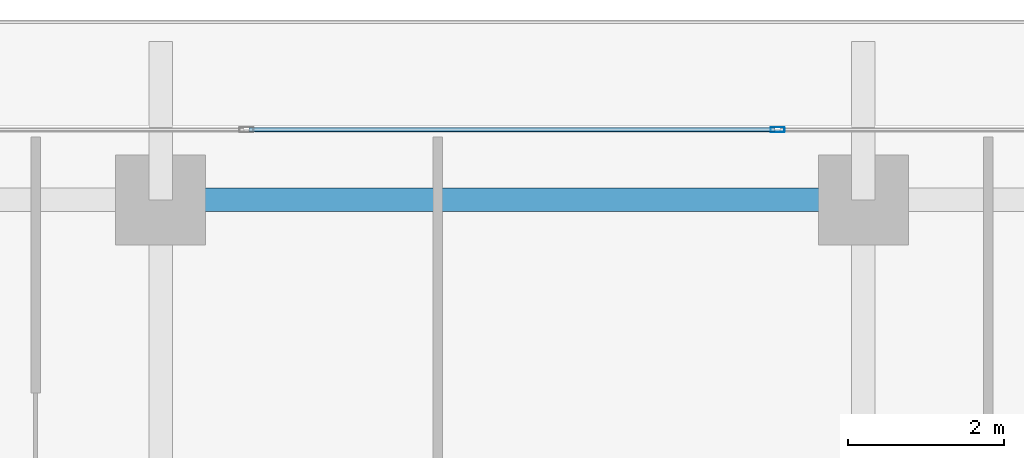
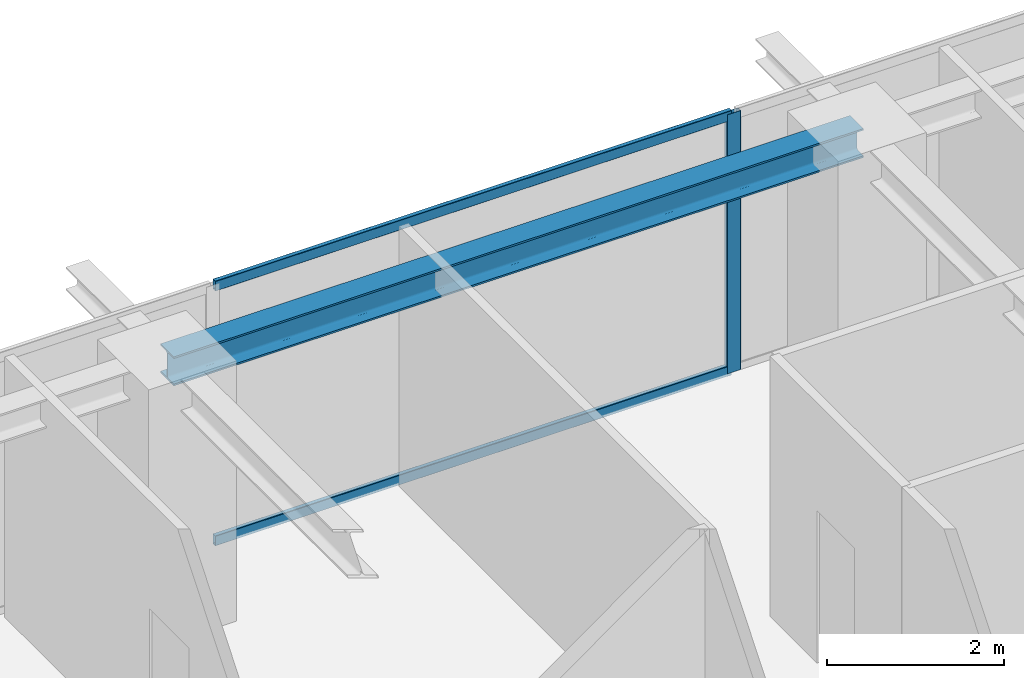
# One storey, part 20 of 36: 3 members, 1 beam, 1 element without a shape of its own.
"""IFC4 building model written with IfcOpenShell, lengths in metres."""

from ifc_helpers import new_model, si_unit, direction, frame, origin, origin_2d, place, context, subcontext, project, spatial, hollow_rectangle, i_section, extrude, source, transform, mapped, material, layer, layer_set, material_profile, profile_set, type_object, element, aggregate, save


model = new_model("IFC4")

# Units and contexts
model_context = context("Model", 3, precision=1e-05, world=origin(), true_north=direction((0.0, 1.0)))
body_context = subcontext(model_context, "Body", "Model", "MODEL_VIEW")
ifc_project = project(units=[si_unit("LENGTHUNIT", "METRE"), si_unit("AREAUNIT", "SQUARE_METRE"), si_unit("VOLUMEUNIT", "CUBIC_METRE"), si_unit("PLANEANGLEUNIT", "RADIAN"), si_unit("MASSUNIT", "GRAM", prefix="KILO")], contexts=[model_context])

# Site, building, storey
site_placement = place(None, origin())
site = spatial("IfcSite", under=ifc_project, at=site_placement, CompositionType="ELEMENT")
building_placement = place(site_placement, origin())
building = spatial("IfcBuilding", under=site, at=building_placement, Name="Serunith Strait Residences", CompositionType="ELEMENT")
storey_placement = place(building_placement, frame((0.0, 0.0, 272.050048828125)))
storey = spatial("IfcBuildingStorey", under=building, at=storey_placement, Name="L68", CompositionType="ELEMENT", Elevation=272.050048828125)

# Beam
ifc_material_1 = material(Name="Steel S355J2", Category="steel")
ifc_material_profile_1 = material_profile(ifc_material_1, i_section(OverallWidth=0.300048828125, OverallDepth=0.39990234375, WebThickness=0.013427734375, FlangeThickness=0.02392578125, FilletRadius=0.027099609375, at=origin_2d()), Name="HEB 400")
ifc_profile_set_1 = profile_set([ifc_material_profile_1], Name="Steel S355J2")
beam_type = type_object("IfcBeamType", Name="BM-HEB400", PredefinedType="BEAM", material=ifc_profile_set_1)
shared_shape_1 = source(origin(), body_context, "Body", "SweptSolid", [
    extrude(i_section(OverallWidth=0.300048828125, OverallDepth=0.39990234375, WebThickness=0.013427734375, FlangeThickness=0.02392578125, FilletRadius=0.027099609375, at=origin_2d()), origin(), (0.0, 0.0, 1.0), 9.0),
])
beam_placement = place(storey_placement, frame((36.89990234375, 48.300048828125, 3.386962890625), z_axis=(-1.0, 0.0, 0.0), x_axis=(0.0, -1.0, 0.0)))
element("IfcBeam", 1, at=beam_placement, inside=storey, type_object=beam_type, Name="L68 Perimeter Ring Beam 10", PredefinedType="BEAM", context=body_context, shape_type="MappedRepresentation", body=[
    mapped(shared_shape_1, transform((0.0, 0.0, 0.0), scale=1.0)),
])

# Curtain wall, members
ifc_material_2 = material(Name="Pale-Champagne Anodised Aluminium", Category="aluminium")
ifc_layer = layer(ifc_material_2, 0.199951171875, Name="Pale-Champagne Anodised Aluminium")
ifc_layer_set = layer_set([ifc_layer], Name="Pale-Champagne Anodised Aluminium")
curtain_wall_type = type_object("IfcCurtainWallType", Name="CW-SYS4", PredefinedType="NOTDEFINED", material=ifc_layer_set)
curtain_wall_placement = place(storey_placement, origin())
curtain_wall = element("IfcCurtainWall", 2, at=curtain_wall_placement, inside=storey, type_object=curtain_wall_type, Name="L68 N Unitised Fritted Curtain Wall", PredefinedType="NOTDEFINED")
ifc_material_profile_2 = material_profile(ifc_material_2, hollow_rectangle(XDim=0.06494140625, YDim=0.179931640625, WallThickness=0.00341796875, InnerFilletRadius=0.00537109375, OuterFilletRadius=0.0087890625, at=origin_2d()), Name="ALU 180x65x3.5")
ifc_profile_set_2 = profile_set([ifc_material_profile_2], Name="Pale-Champagne Anodised Aluminium")
member_type_1 = type_object("IfcMemberType", Name="CW-SYS4-MULL", PredefinedType="MULLION", material=ifc_profile_set_2)
shared_shape_2 = source(origin(), body_context, "Body", "SweptSolid", [
    extrude(hollow_rectangle(XDim=0.06494140625, YDim=0.179931640625, WallThickness=0.00341796875, InnerFilletRadius=0.00537109375, OuterFilletRadius=0.0087890625, at=origin_2d()), origin(), (0.0, 0.0, 1.0), 3.574951171875),
])
member_1_placement = place(storey_placement, frame((35.800048828125, 49.199951171875, 0.0), z_axis=(0.0, 0.0, 1.0), x_axis=(0.0, -1.0, 0.0)))
member_1 = element("IfcMember", 3, at=member_1_placement, type_object=member_type_1, Name="CW-4 mullion 3", PredefinedType="MULLION", context=body_context, shape_type="MappedRepresentation", body=[
    mapped(shared_shape_2, transform((0.0, 0.0, 0.0), scale=1.0)),
])
ifc_material_profile_3 = material_profile(ifc_material_2, hollow_rectangle(XDim=0.06005859375, YDim=0.139892578125, WallThickness=0.00341796875, InnerFilletRadius=0.00537109375, OuterFilletRadius=0.0087890625, at=origin_2d()), Name="ALU 140x60x3.5")
ifc_profile_set_3 = profile_set([ifc_material_profile_3], Name="Pale-Champagne Anodised Aluminium")
member_type_2 = type_object("IfcMemberType", Name="CW-SYS4-TRAN", PredefinedType="USERDEFINED", material=ifc_profile_set_3)
shared_shape_3 = source(origin(), body_context, "Body", "SweptSolid", [
    extrude(hollow_rectangle(XDim=0.06005859375, YDim=0.139892578125, WallThickness=0.00341796875, InnerFilletRadius=0.00537109375, OuterFilletRadius=0.0087890625, at=origin_2d()), origin(), (0.0, 0.0, 1.0), 6.735107421875),
])
member_2_placement = place(storey_placement, frame((35.767578125, 49.199951171875, 0.030029296875), z_axis=(-1.0, 0.0, 0.0), x_axis=(0.0, -1.0, 0.0)))
member_2 = element("IfcMember", 4, at=member_2_placement, type_object=member_type_2, Name="CW-4 transom 3.1", ObjectType="TRANSOM", PredefinedType="USERDEFINED", context=body_context, shape_type="MappedRepresentation", body=[
    mapped(shared_shape_3, transform((0.0, 0.0, 0.0), scale=1.0)),
])
member_3_placement = place(storey_placement, frame((35.767578125, 49.199951171875, 3.544921875), z_axis=(-1.0, 0.0, 0.0), x_axis=(0.0, -1.0, 0.0)))
member_3 = element("IfcMember", 5, at=member_3_placement, type_object=member_type_2, Name="CW-4 transom 3.2", ObjectType="TRANSOM", PredefinedType="USERDEFINED", context=body_context, shape_type="MappedRepresentation", body=[
    mapped(shared_shape_3, transform((0.0, 0.0, 0.0), scale=1.0)),
])
aggregate(curtain_wall, [member_1, member_2, member_3])

save(model, "model.ifc")
